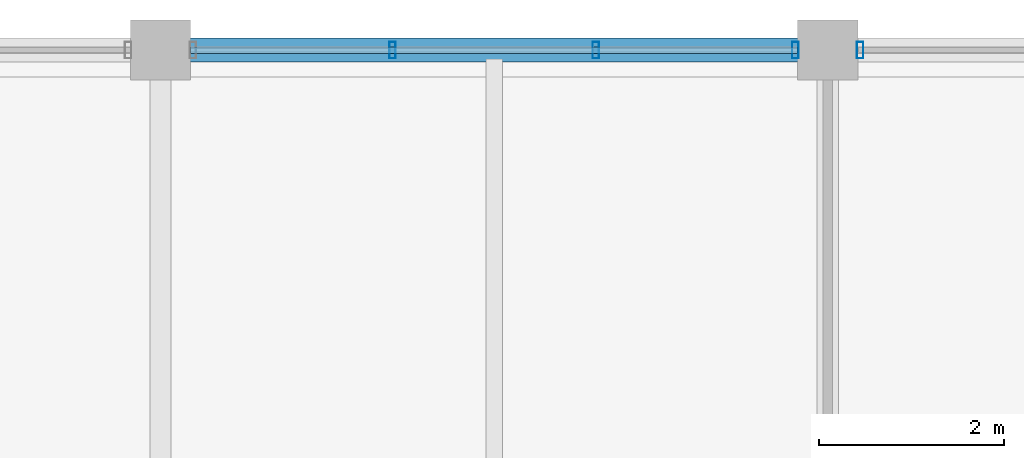
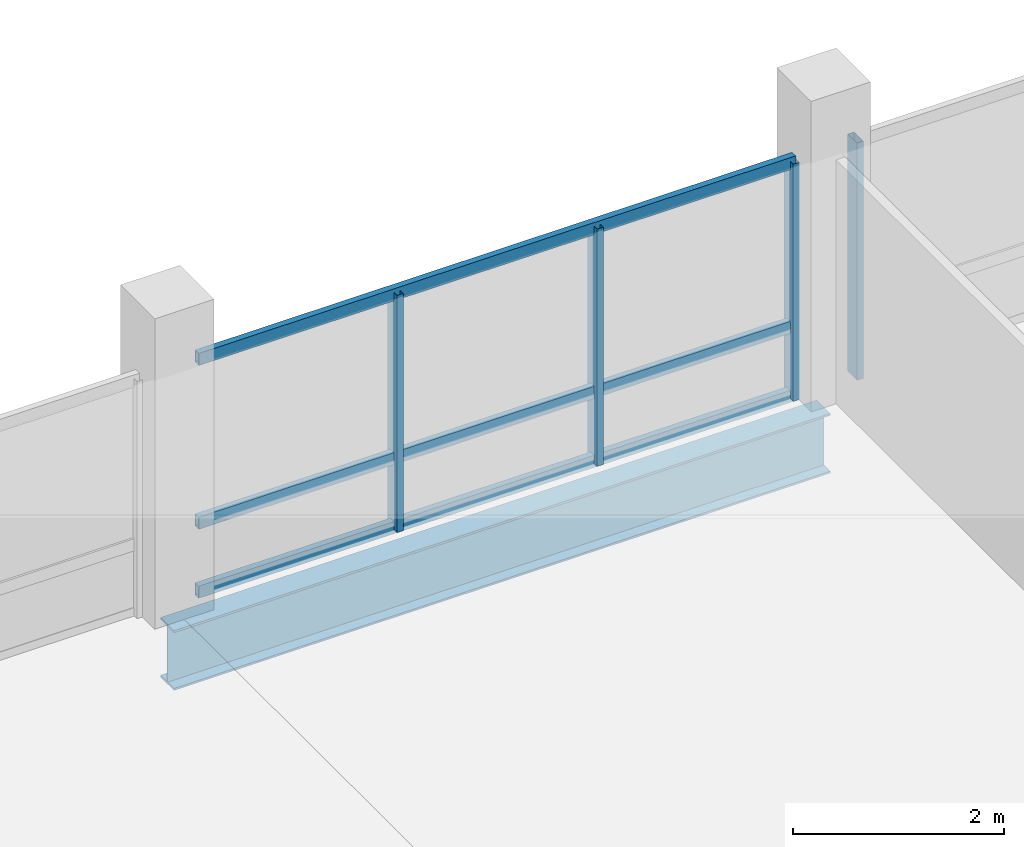
# One storey, part 40 of 96: 7 members, 1 beam, 2 elements without a shape of their own.
"""IFC4 building model written with IfcOpenShell, lengths in metres."""

from ifc_helpers import new_model, si_unit, direction, frame, origin, origin_2d, place, context, subcontext, project, spatial, hollow_rectangle, i_section, extrude, material, material_profile, profile_set, type_object, element, aggregate, save


model = new_model("IFC4")

# Units and contexts
model_context = context("Model", 3, precision=1e-05, world=origin(), true_north=direction((0.0, 1.0)))
body_context = subcontext(model_context, "Body", "Model", "MODEL_VIEW")
ifc_project = project(units=[si_unit("LENGTHUNIT", "METRE"), si_unit("AREAUNIT", "SQUARE_METRE"), si_unit("VOLUMEUNIT", "CUBIC_METRE"), si_unit("PLANEANGLEUNIT", "RADIAN"), si_unit("MASSUNIT", "GRAM", prefix="KILO")], contexts=[model_context])

# Site, building, storey
site_placement = place(None, origin())
site = spatial("IfcSite", under=ifc_project, at=site_placement, CompositionType="ELEMENT")
building_placement = place(site_placement, origin())
building = spatial("IfcBuilding", under=site, at=building_placement, Name="Yarey Park Central Fire Station", CompositionType="ELEMENT")
storey_placement = place(building_placement, frame((0.0, 0.0, 14.39990234375)))
storey = spatial("IfcBuildingStorey", under=building, at=storey_placement, Name="L04", CompositionType="ELEMENT", Elevation=14.39990234375)

# Curtain wall, members
ifc_material_1 = material(Name="Anodized Aluminium Frame", Category="aluminium")
curtain_wall_type = type_object("IfcCurtainWallType", Name="ENV_CW_HQ_L04", PredefinedType="NOTDEFINED", material=ifc_material_1)
curtain_wall_1_placement = place(storey_placement, origin())
curtain_wall_1 = element("IfcCurtainWall", 1, at=curtain_wall_1_placement, inside=storey, type_object=curtain_wall_type, Name="CW_L04_V4_N_3", PredefinedType="NOTDEFINED")
ifc_material_profile_1 = material_profile(ifc_material_1, hollow_rectangle(XDim=0.070068359375, YDim=0.179931640625, WallThickness=0.00390625, at=origin_2d()), Name="ALU 180x70x4")
ifc_profile_set_1 = profile_set([ifc_material_profile_1], Name="Anodized Aluminium Frame")
member_type_1 = type_object("IfcMemberType", Name="ENV_CW_MULLION", PredefinedType="MULLION", material=ifc_profile_set_1)
member_1_placement = place(storey_placement, frame((136.449951171875, 115.199951171875, 0.0), z_axis=(0.0, 0.0, 1.0), x_axis=(1.0, 0.0, 0.0)))
member_1 = element("IfcMember", 2, at=member_1_placement, type_object=member_type_1, Name="CW_L04_V4_N_3_MUL1", PredefinedType="MULLION", context=body_context, shape_type="SweptSolid", body=[
    extrude(hollow_rectangle(XDim=0.070068359375, YDim=0.179931640625, WallThickness=0.00390625, at=origin_2d()), origin(), (0.0, 0.0, 1.0), 2.75),
])
member_2_placement = place(storey_placement, frame((134.296630859375, 115.199951171875, 0.0), z_axis=(0.0, 0.0, 1.0), x_axis=(1.0, 0.0, 0.0)))
member_2 = element("IfcMember", 3, at=member_2_placement, type_object=member_type_1, Name="CW_L04_V4_N_3_MUL2", PredefinedType="MULLION", context=body_context, shape_type="SweptSolid", body=[
    extrude(hollow_rectangle(XDim=0.070068359375, YDim=0.179931640625, WallThickness=0.00390625, at=origin_2d()), origin(), (0.0, 0.0, 1.0), 2.75),
])
member_3_placement = place(storey_placement, frame((132.103271484375, 115.199951171875, 0.0), z_axis=(0.0, 0.0, 1.0), x_axis=(1.0, 0.0, 0.0)))
member_3 = element("IfcMember", 4, at=member_3_placement, type_object=member_type_1, Name="CW_L04_V4_N_3_MUL3", PredefinedType="MULLION", context=body_context, shape_type="SweptSolid", body=[
    extrude(hollow_rectangle(XDim=0.070068359375, YDim=0.179931640625, WallThickness=0.00390625, at=origin_2d()), origin(), (0.0, 0.0, 1.0), 2.75),
])

# Curtain wall, member
curtain_wall_2_placement = place(storey_placement, origin())
curtain_wall_2 = element("IfcCurtainWall", 5, at=curtain_wall_2_placement, inside=storey, type_object=curtain_wall_type, Name="CW_L04_V4_N_4", PredefinedType="NOTDEFINED")
member_4_placement = place(storey_placement, frame((137.14990234375, 115.199951171875, 0.0), z_axis=(0.0, 0.0, 1.0), x_axis=(1.0, 0.0, 0.0)))
member_4 = element("IfcMember", 6, at=member_4_placement, type_object=member_type_1, Name="CW_L04_V4_N_4_MUL4", PredefinedType="MULLION", context=body_context, shape_type="SweptSolid", body=[
    extrude(hollow_rectangle(XDim=0.070068359375, YDim=0.179931640625, WallThickness=0.00390625, at=origin_2d()), origin(), (0.0, 0.0, 1.0), 2.75),
])
aggregate(curtain_wall_2, [member_4])

# Member
ifc_material_profile_2 = material_profile(ifc_material_1, hollow_rectangle(XDim=0.070068359375, YDim=0.139892578125, WallThickness=0.00390625, at=origin_2d()), Name="ALU 140x70x4")
ifc_profile_set_2 = profile_set([ifc_material_profile_2], Name="Anodized Aluminium Frame")
member_type_2 = type_object("IfcMemberType", Name="ENV_CW_TRANSOM", PredefinedType="USERDEFINED", material=ifc_profile_set_2)
member_5_placement = place(storey_placement, frame((136.47509765625, 115.199951171875, 0.025146484375), z_axis=(-1.0, 0.0, 0.0), x_axis=(0.0, -1.0, 0.0)))
member_5 = element("IfcMember", 7, at=member_5_placement, type_object=member_type_2, Name="CW_L04_V4_N_3_TRN1", ObjectType="TRANSOM", PredefinedType="USERDEFINED", context=body_context, shape_type="SweptSolid", body=[
    extrude(hollow_rectangle(XDim=0.070068359375, YDim=0.139892578125, WallThickness=0.00390625, at=origin_2d()), origin(), (0.0, 0.0, 1.0), 6.550048828125),
])

member_6_placement = place(storey_placement, frame((136.47509765625, 115.199951171875, 0.8251953125), z_axis=(-1.0, 0.0, 0.0), x_axis=(0.0, -1.0, 0.0)))
member_6 = element("IfcMember", 8, at=member_6_placement, type_object=member_type_2, Name="CW_L04_V4_N_3_TRN2", ObjectType="TRANSOM", PredefinedType="USERDEFINED", context=body_context, shape_type="SweptSolid", body=[
    extrude(hollow_rectangle(XDim=0.070068359375, YDim=0.139892578125, WallThickness=0.00390625, at=origin_2d()), origin(), (0.0, 0.0, 1.0), 6.550048828125),
])

member_7_placement = place(storey_placement, frame((136.47509765625, 115.199951171875, 2.72509765625), z_axis=(-1.0, 0.0, 0.0), x_axis=(0.0, -1.0, 0.0)))
member_7 = element("IfcMember", 9, at=member_7_placement, type_object=member_type_2, Name="CW_L04_V4_N_3_TRN3", ObjectType="TRANSOM", PredefinedType="USERDEFINED", context=body_context, shape_type="SweptSolid", body=[
    extrude(hollow_rectangle(XDim=0.070068359375, YDim=0.139892578125, WallThickness=0.00390625, at=origin_2d()), origin(), (0.0, 0.0, 1.0), 6.550048828125),
])

aggregate(curtain_wall_1, [member_1, member_2, member_3, member_5, member_6, member_7])

# Beam
ifc_material_2 = material(Name="Steel ASTM A992 Gr. 50", Category="steel")
ifc_material_profile_3 = material_profile(ifc_material_2, i_section(OverallWidth=0.256103515625, OverallDepth=0.693115234375, WebThickness=0.014404296875, FlangeThickness=0.023681640625, at=origin_2d()), Name="W690x170")
ifc_profile_set_3 = profile_set([ifc_material_profile_3], Name="Steel ASTM A992 Gr. 50")
beam_type = type_object("IfcBeamType", Name="STR_BM_W690", PredefinedType="BEAM", material=ifc_profile_set_3)
beam_placement = place(storey_placement, frame((129.60009765625, 115.199951171875, -0.596435546875), z_axis=(1.0, 0.0, 0.0), x_axis=(0.0, 1.0, 0.0)))
element("IfcBeam", 10, at=beam_placement, inside=storey, type_object=beam_type, Name="BMX L04 Y1152 X1296", PredefinedType="BEAM", context=body_context, shape_type="SweptSolid", body=[
    extrude(i_section(OverallWidth=0.256103515625, OverallDepth=0.693115234375, WebThickness=0.014404296875, FlangeThickness=0.023681640625, at=origin_2d()), origin(), (0.0, 0.0, 1.0), 7.199951171875),
])

save(model, "model.ifc")
